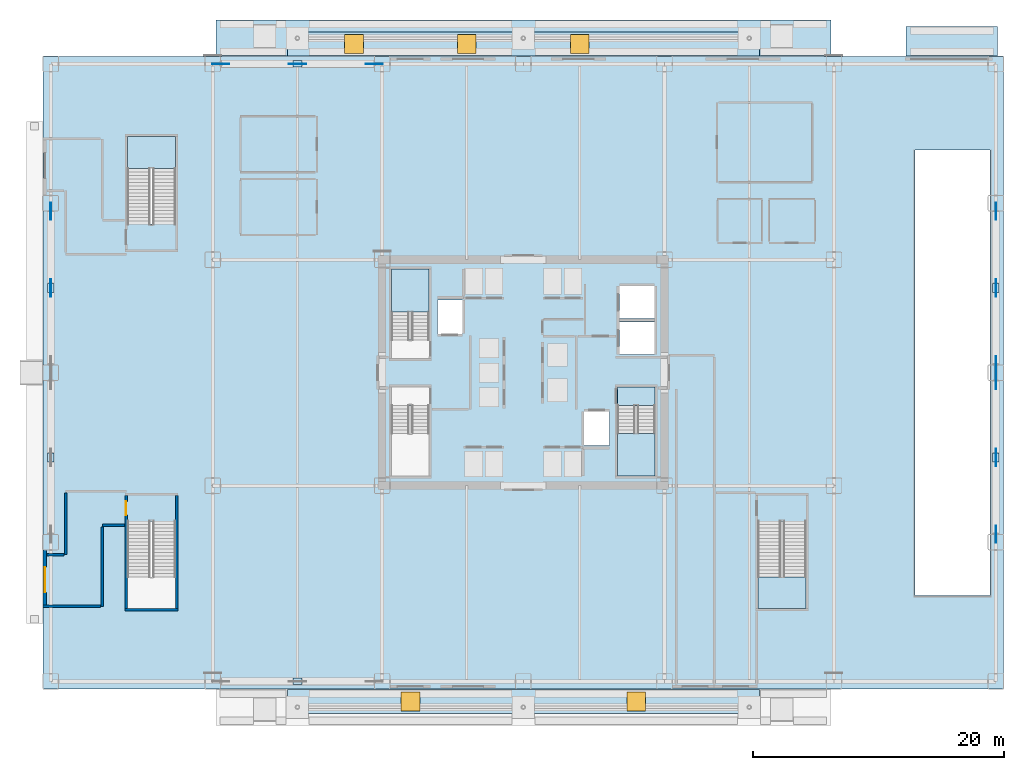
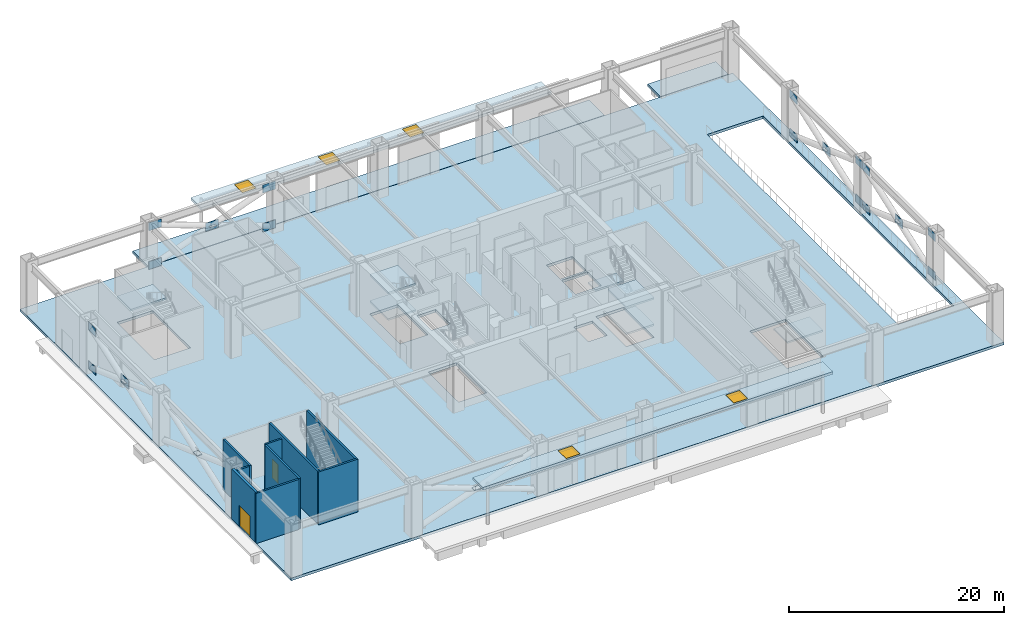
# One storey, part 7 of 17: 24 plates, 12 slabs, 9 walls, 5 windows, 2 doors, 7 openings, 4 elements without a shape of their own.
"""IFC4 building model written with IfcOpenShell, lengths in metres."""

from ifc_helpers import new_model, si_unit, direction, frame, frame_2d, origin, origin_2d, place, context, subcontext, project, spatial, polyline, rectangle, outline, extrude, source, transform, mapped, material, layer, layer_set, type_object, element, fill, aggregate, save


model = new_model("IFC4")

# Units and contexts
model_context = context("Model", 3, precision=1e-05, world=origin(), true_north=direction((0.0, 1.0)))
body_context = subcontext(model_context, "Body", "Model", "MODEL_VIEW")
ifc_project = project(units=[si_unit("LENGTHUNIT", "METRE"), si_unit("AREAUNIT", "SQUARE_METRE"), si_unit("VOLUMEUNIT", "CUBIC_METRE"), si_unit("PLANEANGLEUNIT", "RADIAN"), si_unit("MASSUNIT", "GRAM", prefix="KILO")], contexts=[model_context])

# Site, building, storey
site_placement = place(None, origin())
site = spatial("IfcSite", under=ifc_project, at=site_placement, CompositionType="ELEMENT")
building_placement = place(site_placement, origin())
building = spatial("IfcBuilding", under=site, at=building_placement, Name="Nefas-Gora Pilgrimage Tower", CompositionType="ELEMENT")
storey_placement = place(building_placement, origin())
storey = spatial("IfcBuildingStorey", under=building, at=storey_placement, Name="L00", CompositionType="ELEMENT", Elevation=0.0)

# Slabs
ifc_material_1 = material(Name="Concrete C40/50", Category="concrete")
ifc_layer_1 = layer(ifc_material_1, 0.280029296875)
ifc_layer_set_1 = layer_set([ifc_layer_1], Name="Concrete C40/50")
slab_type_1 = type_object("IfcSlabType", Name="SLB-PAV-280", PredefinedType="BASESLAB", material=ifc_layer_set_1)
slab_1_placement = place(storey_placement, frame((0.0, 0.0, -0.280029296875)))
element("IfcSlab", 1, at=slab_1_placement, inside=storey, type_object=slab_type_1, Name="North Grand Arrival Plaza Paving Slab", PredefinedType="BASESLAB", context=body_context, shape_type="SweptSolid", body=[
    extrude(outline(polyline([(-24.5, 25.219970703125), (24.5, 25.219970703125), (24.5, 28.10009765625), (-24.5, 28.10009765625), (-24.5, 25.219970703125)])), origin(), (0.0, 0.0, 1.0), 0.280029296875),
])
slab_2_placement = place(storey_placement, frame((0.0, 0.0, -0.280029296875)))
element("IfcSlab", 2, at=slab_2_placement, inside=storey, type_object=slab_type_1, Name="North-East Car Park Ramp Driveway Apron Slab", PredefinedType="BASESLAB", context=body_context, shape_type="SweptSolid", body=[
    extrude(outline(polyline([(30.5, 25.219970703125), (37.800048828125, 25.219970703125), (37.800048828125, 27.60009765625), (30.5, 27.60009765625), (30.5, 25.219970703125)])), origin(), (0.0, 0.0, 1.0), 0.280029296875),
])
ifc_material_2 = material(Name="Concrete C45/55", Category="concrete")
ifc_layer_2 = layer(ifc_material_2, 0.300048828125)
ifc_layer_set_2 = layer_set([ifc_layer_2], Name="Concrete C45/55")
slab_type_2 = type_object("IfcSlabType", Name="SLB-POD-300", PredefinedType="FLOOR", material=ifc_layer_set_2)
slab_3_placement = place(storey_placement, frame((0.0, 0.0, -0.300048828125)))
element("IfcSlab", 3, at=slab_3_placement, inside=storey, type_object=slab_type_2, Name="L00 Structural Floor Slab", PredefinedType="FLOOR", context=body_context, shape_type="SweptSolid", body=[
    extrude(outline(polyline([(38.25, -25.199951171875), (38.25, 25.199951171875), (-38.25, 25.199951171875), (-38.25, -25.199951171875), (38.25, -25.199951171875)]), holes=[polyline([(-10.5, 2.639892578125), (-10.5, 8.25), (-7.5, 8.25), (-7.5, 2.639892578125), (-10.5, 2.639892578125)]), polyline([(10.5, -2.639892578125), (10.5, -8.25), (7.5, -8.25), (7.5, -2.639892578125), (10.5, -2.639892578125)]), polyline([(-7.5, -2.639892578125), (-7.5, -8.25), (-10.5, -8.25), (-10.5, -2.639892578125), (-7.5, -2.639892578125)]), polyline([(-31.5400390625, 11.840087890625), (-31.5400390625, 18.800048828125), (-27.699951171875, 18.800048828125), (-27.699951171875, 11.840087890625), (-31.5400390625, 11.840087890625)]), polyline([(-27.699951171875, -11.840087890625), (-27.699951171875, -18.800048828125), (-31.5400390625, -18.800048828125), (-31.5400390625, -11.840087890625), (-27.699951171875, -11.840087890625)]), polyline([(22.5400390625, -11.840087890625), (22.5400390625, -18.800048828125), (18.699951171875, -18.800048828125), (18.699951171875, -11.840087890625), (22.5400390625, -11.840087890625)]), polyline([(-6.85009765625, 5.800048828125), (-4.85009765625, 5.800048828125), (-4.85009765625, 3.10009765625), (-6.85009765625, 3.10009765625), (-6.85009765625, 5.800048828125)]), polyline([(4.85009765625, -3.10009765625), (6.85009765625, -3.10009765625), (6.85009765625, -5.800048828125), (4.85009765625, -5.800048828125), (4.85009765625, -3.10009765625)]), polyline([(7.64990234375, 4.050048828125), (10.449951171875, 4.050048828125), (10.449951171875, 1.449951171875), (7.64990234375, 1.449951171875), (7.64990234375, 4.050048828125)]), polyline([(7.64990234375, 6.89990234375), (10.449951171875, 6.89990234375), (10.449951171875, 4.300048828125), (7.64990234375, 4.300048828125), (7.64990234375, 6.89990234375)]), polyline([(31.199951171875, 17.75), (37.199951171875, 17.75), (37.199951171875, -17.75), (31.199951171875, -17.75), (31.199951171875, 17.75)])]), origin(), (0.0, 0.0, 1.0), 0.300048828125),
])

# Slab, openings, windows
ifc_layer_3 = layer(ifc_material_2, 0.300048828125)
ifc_layer_set_3 = layer_set([ifc_layer_3], Name="Concrete C45/55")
slab_type_3 = type_object("IfcSlabType", Name="SLB-ROOF-300", PredefinedType="ROOF", material=ifc_layer_set_3)
slab_4_placement = place(storey_placement, frame((0.0, 0.0, 4.360107421875)))
slab_4 = element("IfcSlab", 4, at=slab_4_placement, inside=storey, type_object=slab_type_3, Name="L00 Entrance Canopy Roof Slab N", PredefinedType="ROOF", context=body_context, shape_type="SweptSolid", body=[
    extrude(outline(polyline([(-18.800048828125, 25.25), (18.800048828125, 25.25), (18.800048828125, 27.14990234375), (-18.800048828125, 27.14990234375), (-18.800048828125, 25.25)]), holes=[polyline([(-14.25, 25.449951171875), (-14.25, 26.949951171875), (-12.75, 26.949951171875), (-12.75, 25.449951171875), (-14.25, 25.449951171875)]), polyline([(-5.25, 25.449951171875), (-5.25, 26.949951171875), (-3.75, 26.949951171875), (-3.75, 25.449951171875), (-5.25, 25.449951171875)]), polyline([(3.75, 25.449951171875), (3.75, 26.949951171875), (5.25, 26.949951171875), (5.25, 25.449951171875), (3.75, 25.449951171875)])]), origin(), (0.0, 0.0, 1.0), 0.2998046875),
])
opening_1_placement = place(slab_4_placement, frame((-13.5, 26.199951171875, 0.0)))
opening_1 = element("IfcOpeningElement", 5, at=opening_1_placement, cuts=slab_4, Name="Opening RD-01", PredefinedType="OPENING", context=body_context, shape_type="SweptSolid", body=[
    extrude(rectangle(XDim=1.5, YDim=1.5, at=origin_2d()), frame((0.0, 0.0, -0.010009765625)), (0.0, 0.0, 1.0), 0.31982421875),
])
opening_2_placement = place(slab_4_placement, frame((-4.5, 26.199951171875, 0.0)))
opening_2 = element("IfcOpeningElement", 6, at=opening_2_placement, cuts=slab_4, Name="Opening RD-01", PredefinedType="OPENING", context=body_context, shape_type="SweptSolid", body=[
    extrude(rectangle(XDim=1.5, YDim=1.5, at=origin_2d()), frame((0.0, 0.0, -0.010009765625)), (0.0, 0.0, 1.0), 0.31982421875),
])
opening_3_placement = place(slab_4_placement, frame((4.5, 26.199951171875, 0.0)))
opening_3 = element("IfcOpeningElement", 7, at=opening_3_placement, cuts=slab_4, Name="Opening RD-01", PredefinedType="OPENING", context=body_context, shape_type="SweptSolid", body=[
    extrude(rectangle(XDim=1.5, YDim=1.5, at=origin_2d()), frame((0.0, 0.0, -0.010009765625)), (0.0, 0.0, 1.0), 0.31982421875),
])
ifc_material_3 = material(Name="Laminated solar-control glass canopy lightdome", Category="glass")
window_type = type_object("IfcWindowType", Name="WIN-DOME-1500x1500", PartitioningType="SINGLE_PANEL", PredefinedType="LIGHTDOME", material=ifc_material_3)
window_1_placement = place(opening_1_placement, frame((0.0, 0.0, 0.249755859375)))
window_1 = element("IfcWindow", 8, at=window_1_placement, inside=storey, type_object=window_type, Name="Canopy Daylight Dome RD-01.1", OverallHeight=1.5, OverallWidth=1.5, PartitioningType="SINGLE_PANEL", PredefinedType="LIGHTDOME", context=body_context, shape_type="SweptSolid", body=[
    extrude(rectangle(XDim=1.5, YDim=1.5, at=origin_2d()), origin(), (0.0, 0.0, 1.0), 0.050048828125),
])
fill(opening_1, window_1)
window_2_placement = place(opening_2_placement, frame((0.0, 0.0, 0.249755859375)))
window_2 = element("IfcWindow", 9, at=window_2_placement, inside=storey, type_object=window_type, Name="Canopy Daylight Dome RD-01.2", OverallHeight=1.5, OverallWidth=1.5, PartitioningType="SINGLE_PANEL", PredefinedType="LIGHTDOME", context=body_context, shape_type="SweptSolid", body=[
    extrude(rectangle(XDim=1.5, YDim=1.5, at=origin_2d()), origin(), (0.0, 0.0, 1.0), 0.050048828125),
])
fill(opening_2, window_2)
window_3_placement = place(opening_3_placement, frame((0.0, 0.0, 0.249755859375)))
window_3 = element("IfcWindow", 10, at=window_3_placement, inside=storey, type_object=window_type, Name="Canopy Daylight Dome RD-01.3", OverallHeight=1.5, OverallWidth=1.5, PartitioningType="SINGLE_PANEL", PredefinedType="LIGHTDOME", context=body_context, shape_type="SweptSolid", body=[
    extrude(rectangle(XDim=1.5, YDim=1.5, at=origin_2d()), origin(), (0.0, 0.0, 1.0), 0.050048828125),
])
fill(opening_3, window_3)

slab_5_placement = place(storey_placement, frame((0.0, 0.0, 4.360107421875)))
slab_5 = element("IfcSlab", 11, at=slab_5_placement, inside=storey, type_object=slab_type_3, Name="L00 Entrance Canopy Roof Slab S", PredefinedType="ROOF", context=body_context, shape_type="SweptSolid", body=[
    extrude(outline(polyline([(-18.800048828125, -27.14990234375), (18.800048828125, -27.14990234375), (18.800048828125, -25.25), (-18.800048828125, -25.25), (-18.800048828125, -27.14990234375)]), holes=[polyline([(-9.75, -26.949951171875), (-9.75, -25.449951171875), (-8.25, -25.449951171875), (-8.25, -26.949951171875), (-9.75, -26.949951171875)]), polyline([(8.25, -26.949951171875), (8.25, -25.449951171875), (9.75, -25.449951171875), (9.75, -26.949951171875), (8.25, -26.949951171875)])]), origin(), (0.0, 0.0, 1.0), 0.2998046875),
])
opening_4_placement = place(slab_5_placement, frame((-9.0, -26.199951171875, 0.0)))
opening_4 = element("IfcOpeningElement", 12, at=opening_4_placement, cuts=slab_5, Name="Opening RD-01", PredefinedType="OPENING", context=body_context, shape_type="SweptSolid", body=[
    extrude(rectangle(XDim=1.5, YDim=1.5, at=origin_2d()), frame((0.0, 0.0, -0.010009765625)), (0.0, 0.0, 1.0), 0.31982421875),
])
opening_5_placement = place(slab_5_placement, frame((9.0, -26.199951171875, 0.0)))
opening_5 = element("IfcOpeningElement", 13, at=opening_5_placement, cuts=slab_5, Name="Opening RD-01", PredefinedType="OPENING", context=body_context, shape_type="SweptSolid", body=[
    extrude(rectangle(XDim=1.5, YDim=1.5, at=origin_2d()), frame((0.0, 0.0, -0.010009765625)), (0.0, 0.0, 1.0), 0.31982421875),
])
window_4_placement = place(opening_4_placement, frame((0.0, 0.0, 0.249755859375)))
window_4 = element("IfcWindow", 14, at=window_4_placement, inside=storey, type_object=window_type, Name="Canopy Daylight Dome RD-01.4", OverallHeight=1.5, OverallWidth=1.5, PartitioningType="SINGLE_PANEL", PredefinedType="LIGHTDOME", context=body_context, shape_type="SweptSolid", body=[
    extrude(rectangle(XDim=1.5, YDim=1.5, at=origin_2d()), origin(), (0.0, 0.0, 1.0), 0.050048828125),
])
fill(opening_4, window_4)
window_5_placement = place(opening_5_placement, frame((0.0, 0.0, 0.249755859375)))
window_5 = element("IfcWindow", 15, at=window_5_placement, inside=storey, type_object=window_type, Name="Canopy Daylight Dome RD-01.5", OverallHeight=1.5, OverallWidth=1.5, PartitioningType="SINGLE_PANEL", PredefinedType="LIGHTDOME", context=body_context, shape_type="SweptSolid", body=[
    extrude(rectangle(XDim=1.5, YDim=1.5, at=origin_2d()), origin(), (0.0, 0.0, 1.0), 0.050048828125),
])
fill(opening_5, window_5)

# Stair, slabs
stair_type_1 = type_object("IfcStairType", Name="STR-1400-R1667", PredefinedType="HALF_TURN_STAIR", material=ifc_material_2)
stair_1_placement = place(storey_placement, origin())
stair_1 = element("IfcStair", 16, at=stair_1_placement, inside=storey, type_object=stair_type_1, Name="L00 Pressurised Tower Exit Stair ST-01", PredefinedType="HALF_TURN_STAIR")
ifc_layer_4 = layer(ifc_material_1, 0.199951171875)
ifc_layer_set_4 = layer_set([ifc_layer_4], Name="Concrete C40/50")
slab_type_4 = type_object("IfcSlabType", Name="STR-LAND-200", PredefinedType="LANDING", material=ifc_layer_set_4)
slab_6_placement = place(storey_placement, frame((0.0, 0.0, 1.300048828125)))
slab_6 = element("IfcSlab", 17, at=slab_6_placement, type_object=slab_type_4, Name="ST-01 landing 1", PredefinedType="LANDING", context=body_context, shape_type="SweptSolid", body=[
    extrude(outline(polyline([(-7.5, 4.840087890625), (-7.5, 8.25), (-10.5, 8.25), (-10.5, 4.840087890625), (-7.5, 4.840087890625)])), origin(), (0.0, 0.0, 1.0), 0.199951171875),
])
slab_7_placement = place(storey_placement, frame((0.0, 0.0, 4.300048828125)))
slab_7 = element("IfcSlab", 18, at=slab_7_placement, type_object=slab_type_4, Name="ST-01 landing 3", PredefinedType="LANDING", context=body_context, shape_type="SweptSolid", body=[
    extrude(outline(polyline([(-7.5, 4.840087890625), (-7.5, 8.25), (-10.5, 8.25), (-10.5, 4.840087890625), (-7.5, 4.840087890625)])), origin(), (0.0, 0.0, 1.0), 0.199951171875),
])
aggregate(stair_1, [slab_6, slab_7])

stair_2_placement = place(storey_placement, origin())
stair_2 = element("IfcStair", 19, at=stair_2_placement, inside=storey, type_object=stair_type_1, Name="L00 Pressurised Tower Exit Stair ST-02", PredefinedType="HALF_TURN_STAIR")
slab_8_placement = place(storey_placement, frame((0.0, 0.0, 1.300048828125)))
slab_8 = element("IfcSlab", 20, at=slab_8_placement, type_object=slab_type_4, Name="ST-02 landing 1", PredefinedType="LANDING", context=body_context, shape_type="SweptSolid", body=[
    extrude(outline(polyline([(7.5, -4.840087890625), (7.5, -8.25), (10.5, -8.25), (10.5, -4.840087890625), (7.5, -4.840087890625)])), origin(), (0.0, 0.0, 1.0), 0.199951171875),
])
slab_9_placement = place(storey_placement, frame((0.0, 0.0, 2.800048828125)))
slab_9 = element("IfcSlab", 21, at=slab_9_placement, type_object=slab_type_4, Name="ST-02 landing 2", PredefinedType="LANDING", context=body_context, shape_type="SweptSolid", body=[
    extrude(outline(polyline([(7.5, -1.14990234375), (7.5, -2.60009765625), (10.5, -2.60009765625), (10.5, -1.14990234375), (7.5, -1.14990234375)])), origin(), (0.0, 0.0, 1.0), 0.199951171875),
])
slab_10_placement = place(storey_placement, frame((0.0, 0.0, 4.300048828125)))
slab_10 = element("IfcSlab", 22, at=slab_10_placement, type_object=slab_type_4, Name="ST-02 landing 3", PredefinedType="LANDING", context=body_context, shape_type="SweptSolid", body=[
    extrude(outline(polyline([(7.5, -4.840087890625), (7.5, -8.25), (10.5, -8.25), (10.5, -4.840087890625), (7.5, -4.840087890625)])), origin(), (0.0, 0.0, 1.0), 0.199951171875),
])
aggregate(stair_2, [slab_8, slab_9, slab_10])

# Stair, slab
stair_type_2 = type_object("IfcStairType", Name="STR-1820-R1765", PredefinedType="HALF_TURN_STAIR", material=ifc_material_2)
stair_3_placement = place(storey_placement, origin())
stair_3 = element("IfcStair", 23, at=stair_3_placement, inside=storey, type_object=stair_type_2, Name="L00 Podium Exit Stair ST-04", PredefinedType="HALF_TURN_STAIR")
slab_11_placement = place(storey_placement, frame((0.0, 0.0, 2.800048828125)))
slab_11 = element("IfcSlab", 24, at=slab_11_placement, type_object=slab_type_4, Name="ST-04 landing 1", PredefinedType="LANDING", context=body_context, shape_type="SweptSolid", body=[
    extrude(outline(polyline([(-27.699951171875, 16.280029296875), (-27.699951171875, 18.800048828125), (-31.5400390625, 18.800048828125), (-31.5400390625, 16.280029296875), (-27.699951171875, 16.280029296875)])), origin(), (0.0, 0.0, 1.0), 0.199951171875),
])
aggregate(stair_3, [slab_11])

stair_4_placement = place(storey_placement, origin())
stair_4 = element("IfcStair", 25, at=stair_4_placement, inside=storey, type_object=stair_type_2, Name="L00 Podium Exit Stair ST-06", PredefinedType="HALF_TURN_STAIR")
slab_12_placement = place(storey_placement, frame((0.0, 0.0, 2.800048828125)))
slab_12 = element("IfcSlab", 26, at=slab_12_placement, type_object=slab_type_4, Name="ST-06 landing 1", PredefinedType="LANDING", context=body_context, shape_type="SweptSolid", body=[
    extrude(outline(polyline([(18.699951171875, -16.280029296875), (18.699951171875, -18.800048828125), (22.5400390625, -18.800048828125), (22.5400390625, -16.280029296875), (18.699951171875, -16.280029296875)])), origin(), (0.0, 0.0, 1.0), 0.199951171875),
])
aggregate(stair_4, [slab_12])

# Plates
ifc_material_4 = material(Name="Steel S460", Category="steel")
ifc_layer_5 = layer(ifc_material_4, 0.035888671875)
ifc_layer_set_5 = layer_set([ifc_layer_5], Name="Steel S460")
plate_type_1 = type_object("IfcPlateType", Name="PLT-NODE-N01", PredefinedType="USERDEFINED", material=ifc_layer_set_5)
shared_shape_1 = source(origin(), body_context, "Body", "SweptSolid", [
    extrude(rectangle(XDim=1.39990234375, YDim=0.044921875, at=origin_2d()), origin(), (0.0, 0.0, 1.0), 0.949951171875),
])
for number, where, z_axis, x_axis, name in (
    (27, (-18.0, 24.60009765625, 2.2998046875), (0.0, 0.0, 1.0), (1.0, 0.0, 0.0), "Structural Node Gusset Plate N01 (L00)"),
    (28, (-37.64990234375, 6.75, 2.2998046875), (0.0, 0.0, 1.0), (0.0, 1.0, 0.0), "Structural Node Gusset Plate N01 (L00)"),
    (29, (37.64990234375, 6.75, 2.2998046875), (0.0, 0.0, 1.0), (0.0, 1.0, 0.0), "Structural Node Gusset Plate N01 (L00)"),
    (30, (37.64990234375, -6.75, 2.2998046875), (0.0, 0.0, 1.0), (0.0, 1.0, 0.0), "Structural Node Gusset Plate N01 (L00)"),
):
    element("IfcPlate", number, at=place(storey_placement, frame(where, z_axis=z_axis, x_axis=x_axis)), inside=storey, type_object=plate_type_1, Name=name, ObjectType="GUSSET_PLATE", PredefinedType="USERDEFINED", context=body_context, shape_type="MappedRepresentation", body=[
        mapped(shared_shape_1, transform((0.0, 0.0, 0.0), x_axis=(1.0, 0.0, 0.0), y_axis=(0.0, 1.0, 0.0), z_axis=(0.0, 0.0, 1.0), scale=1.0)),
    ])
shared_shape_2 = source(origin(), body_context, "Body", "SweptSolid", [
    extrude(rectangle(XDim=1.35009765625, YDim=0.044921875, at=origin_2d()), origin(), (0.0, 0.0, 1.0), 0.89990234375),
])
for number, where, z_axis, x_axis, name in (
    (31, (-24.112060546875, 24.60009765625, 0.129150390625), (0.0, 0.0, 1.0), (1.0, 0.0, 0.0), "Structural Node Gusset Plate N01 (L00)"),
    (32, (-11.887939453125, 24.60009765625, 0.129150390625), (0.0, 0.0, 1.0), (1.0, 0.0, 0.0), "Structural Node Gusset Plate N01 (L00)"),
    (33, (-24.112060546875, 24.60009765625, 4.520751953125), (0.0, 0.0, 1.0), (1.0, 0.0, 0.0), "Structural Node Gusset Plate N01 (L00)"),
    (34, (-11.887939453125, 24.60009765625, 4.520751953125), (0.0, 0.0, 1.0), (1.0, 0.0, 0.0), "Structural Node Gusset Plate N01 (L00)"),
    (35, (-37.64990234375, 12.862060546875, 0.129150390625), (0.0, 0.0, 1.0), (0.0, 1.0, 0.0), "Structural Node Gusset Plate N01 (L00)"),
    (36, (-37.64990234375, 12.862060546875, 4.520751953125), (0.0, 0.0, 1.0), (0.0, 1.0, 0.0), "Structural Node Gusset Plate N01 (L00)"),
    (37, (37.64990234375, 0.637939453125, 0.129150390625), (0.0, 0.0, 1.0), (0.0, 1.0, 0.0), "Structural Node Gusset Plate N01 (L00)"),
    (38, (37.64990234375, 12.862060546875, 0.129150390625), (0.0, 0.0, 1.0), (0.0, 1.0, 0.0), "Structural Node Gusset Plate N01 (L00)"),
    (39, (37.64990234375, 0.637939453125, 4.520751953125), (0.0, 0.0, 1.0), (0.0, 1.0, 0.0), "Structural Node Gusset Plate N01 (L00)"),
    (40, (37.64990234375, 12.862060546875, 4.520751953125), (0.0, 0.0, 1.0), (0.0, 1.0, 0.0), "Structural Node Gusset Plate N01 (L00)"),
    (41, (37.64990234375, -12.862060546875, 0.129150390625), (0.0, 0.0, 1.0), (0.0, 1.0, 0.0), "Structural Node Gusset Plate N01 (L00)"),
    (42, (37.64990234375, -0.637939453125, 0.129150390625), (0.0, 0.0, 1.0), (0.0, 1.0, 0.0), "Structural Node Gusset Plate N01 (L00)"),
    (43, (37.64990234375, -12.862060546875, 4.520751953125), (0.0, 0.0, 1.0), (0.0, 1.0, 0.0), "Structural Node Gusset Plate N01 (L00)"),
    (44, (37.64990234375, -0.637939453125, 4.520751953125), (0.0, 0.0, 1.0), (0.0, 1.0, 0.0), "Structural Node Gusset Plate N01 (L00)"),
):
    element("IfcPlate", number, at=place(storey_placement, frame(where, z_axis=z_axis, x_axis=x_axis)), inside=storey, type_object=plate_type_1, Name=name, ObjectType="GUSSET_PLATE", PredefinedType="USERDEFINED", context=body_context, shape_type="MappedRepresentation", body=[
        mapped(shared_shape_2, transform((0.0, 0.0, 0.0), x_axis=(1.0, 0.0, 0.0), y_axis=(0.0, 1.0, 0.0), z_axis=(0.0, 0.0, 1.0), scale=1.0)),
    ])
ifc_layer_6 = layer(ifc_material_4, 0.0400390625)
ifc_layer_set_6 = layer_set([ifc_layer_6], Name="Steel S460")
plate_type_2 = type_object("IfcPlateType", Name="PLT-ENDCAP-40", PredefinedType="SHEET", material=ifc_layer_set_6)
shared_shape_3 = source(origin(), body_context, "Body", "SweptSolid", [
    extrude(rectangle(XDim=0.719970703125, YDim=0.52001953125, at=origin_2d()), origin(), (0.0, 0.0, 1.0), 0.0400390625),
])
for number, where, z_axis, x_axis, name in (
    (45, (-18.0, 24.60009765625, 2.7548828125), (0.0, 0.0, 1.0), (1.0, 0.0, 0.0), "Pilotis X-Crossing Stiffener Plate N1"),
    (46, (-37.64990234375, 6.75, 2.7548828125), (0.0, 0.0, 1.0), (0.0, 1.0, 0.0), "Pilotis X-Crossing Stiffener Plate W2"),
    (47, (-18.0, -24.60009765625, 2.7548828125), (0.0, 0.0, 1.0), (1.0, 0.0, 0.0), "Pilotis X-Crossing Stiffener Plate S1"),
    (48, (37.64990234375, 6.75, 2.7548828125), (0.0, 0.0, 1.0), (0.0, 1.0, 0.0), "Pilotis X-Crossing Stiffener Plate E2"),
    (49, (-37.64990234375, -6.75, 2.7548828125), (0.0, 0.0, 1.0), (0.0, 1.0, 0.0), "Pilotis X-Crossing Stiffener Plate W1"),
    (50, (37.64990234375, -6.75, 2.7548828125), (0.0, 0.0, 1.0), (0.0, 1.0, 0.0), "Pilotis X-Crossing Stiffener Plate E1"),
):
    element("IfcPlate", number, at=place(storey_placement, frame(where, z_axis=z_axis, x_axis=x_axis)), inside=storey, type_object=plate_type_2, Name=name, PredefinedType="SHEET", context=body_context, shape_type="MappedRepresentation", body=[
        mapped(shared_shape_3, transform((0.0, 0.0, 0.0), x_axis=(1.0, 0.0, 0.0), y_axis=(0.0, 1.0, 0.0), z_axis=(0.0, 0.0, 1.0), scale=1.0)),
    ])

# Wall, opening, door
ifc_material_5 = material(Name="Precast concrete C40/50", Category="concrete")
ifc_layer_7 = layer(ifc_material_5, 0.260009765625)
ifc_layer_set_7 = layer_set([ifc_layer_7], Name="Precast concrete C40/50")
wall_type_1 = type_object("IfcWallType", Name="EW-PORTAL-260", PredefinedType="SOLIDWALL", material=ifc_layer_set_7)
shared_shape_4 = source(origin(), body_context, "Body", "SweptSolid", [
    extrude(rectangle(XDim=4.41015625, YDim=0.260009765625, at=frame_2d((2.205078125, 0.0))), origin(), (0.0, 0.0, 1.0), 5.699951171875),
])
wall_1_placement = place(storey_placement, frame((-38.1201171875, -18.5400390625, 0.0), z_axis=(0.0, 0.0, 1.0), x_axis=(0.0, 1.0, 0.0)))
wall_1 = element("IfcWall", 51, at=wall_1_placement, inside=storey, type_object=wall_type_1, Name="L00 Exterior Portal Wall (EX-05)", PredefinedType="SOLIDWALL", context=body_context, shape_type="MappedRepresentation", body=[
    mapped(shared_shape_4, transform((0.0, 0.0, 0.0), x_axis=(1.0, 0.0, 0.0), y_axis=(0.0, 1.0, 0.0), z_axis=(0.0, 0.0, 1.0), scale=1.0)),
])
opening_6_placement = place(wall_1_placement, frame((1.0400390625, 0.0, 0.0)))
opening_6 = element("IfcOpeningElement", 52, at=opening_6_placement, cuts=wall_1, Name="Opening EX-D1", PredefinedType="OPENING", context=body_context, shape_type="SweptSolid", body=[
    extrude(rectangle(XDim=2.0, YDim=2.39990234375, at=frame_2d((1.0, 1.199951171875))), frame((0.0, 0.139892578125, 0.0), z_axis=(0.0, -1.0, 0.0), x_axis=(1.0, 0.0, 0.0)), (0.0, 0.0, 1.0), 0.280029296875),
])
ifc_material_6 = material(Name="Painted galvanised steel fire exit door", Category="steel")
door_type_1 = type_object("IfcDoorType", Name="DR-EXT-EXIT-2000", OperationType="DOUBLE_DOOR_SINGLE_SWING", PredefinedType="DOOR", material=ifc_material_6)
shared_shape_5 = source(origin(), body_context, "Body", "SweptSolid", [
    extrude(rectangle(XDim=2.0, YDim=2.39990234375, at=frame_2d((1.0, 1.199951171875))), frame((0.0, 0.02490234375, 0.0), z_axis=(0.0, -1.0, 0.0), x_axis=(1.0, 0.0, 0.0)), (0.0, 0.0, 1.0), 0.050048828125),
])
door_1_placement = place(opening_6_placement, origin())
door_1 = element("IfcDoor", 53, at=door_1_placement, inside=storey, type_object=door_type_1, Name="L00 Exterior Door EX-05 (West Exit Walkway (ST-05 Protected Exit Passage))", OperationType="DOUBLE_DOOR_SINGLE_SWING", OverallHeight=2.39990234375, OverallWidth=2.0, PredefinedType="DOOR", context=body_context, shape_type="MappedRepresentation", body=[
    mapped(shared_shape_5, transform((0.0, 0.0, 0.0), x_axis=(1.0, 0.0, 0.0), y_axis=(0.0, 1.0, 0.0), z_axis=(0.0, 0.0, 1.0), scale=1.0)),
])
fill(opening_6, door_1)

# Wall
ifc_layer_8 = layer(ifc_material_2, 0.199951171875)
ifc_layer_set_8 = layer_set([ifc_layer_8], Name="Concrete C45/55")
wall_type_2 = type_object("IfcWallType", Name="IW-STAIR-200", PredefinedType="SOLIDWALL", material=ifc_layer_set_8)
shared_shape_6 = source(origin(), body_context, "Body", "SweptSolid", [
    extrude(rectangle(XDim=4.239990234375, YDim=0.199951171875, at=frame_2d((2.1201171875, 0.0))), origin(), (0.0, 0.0, 1.0), 6.0),
])
wall_2_placement = place(storey_placement, frame((-31.739990234375, -18.89990234375, 0.0), z_axis=(0.0, 0.0, 1.0), x_axis=(1.0, 0.0, 0.0)))
element("IfcWall", 54, at=wall_2_placement, inside=storey, type_object=wall_type_2, Name="L00 Stairwell Shear Wall ST-05-far", PredefinedType="SOLIDWALL", context=body_context, shape_type="MappedRepresentation", body=[
    mapped(shared_shape_6, transform((0.0, 0.0, 0.0), x_axis=(1.0, 0.0, 0.0), y_axis=(0.0, 1.0, 0.0), z_axis=(0.0, 0.0, 1.0), scale=1.0)),
])

# Wall, opening, door
shared_shape_7 = source(origin(), body_context, "Body", "SweptSolid", [
    extrude(rectangle(XDim=9.0, YDim=0.199951171875, at=frame_2d((4.5, 0.0))), origin(), (0.0, 0.0, 1.0), 6.0),
])
wall_3_placement = place(storey_placement, frame((-31.639892578125, -9.800048828125, 0.0), z_axis=(0.0, 0.0, 1.0), x_axis=(0.0, -1.0, 0.0)))
wall_3 = element("IfcWall", 55, at=wall_3_placement, inside=storey, type_object=wall_type_2, Name="L00 Stairwell Shear Wall ST-05-left", PredefinedType="SOLIDWALL", context=body_context, shape_type="MappedRepresentation", body=[
    mapped(shared_shape_7, transform((0.0, 0.0, 0.0), x_axis=(1.0, 0.0, 0.0), y_axis=(0.0, 1.0, 0.0), z_axis=(0.0, 0.0, 1.0), scale=1.0)),
])
opening_7_placement = place(wall_3_placement, frame((0.449951171875, 0.0, 0.0)))
opening_7 = element("IfcOpeningElement", 56, at=opening_7_placement, cuts=wall_3, Name="Opening ID-ST1", PredefinedType="OPENING", context=body_context, shape_type="SweptSolid", body=[
    extrude(rectangle(XDim=1.10009765625, YDim=2.14990234375, at=frame_2d((0.550048828125, 1.074951171875))), frame((0.0, 0.10986328125, 0.0), z_axis=(0.0, -1.0, 0.0), x_axis=(1.0, 0.0, 0.0)), (0.0, 0.0, 1.0), 0.219970703125),
])
ifc_material_7 = material(Name="Painted galvanised steel fire stair door", Category="steel")
door_type_2 = type_object("IfcDoorType", Name="DR-INT-STAIR-1100", OperationType="NOTDEFINED", PredefinedType="DOOR", material=ifc_material_7)
shared_shape_8 = source(origin(), body_context, "Body", "SweptSolid", [
    extrude(rectangle(XDim=1.10009765625, YDim=2.14990234375, at=frame_2d((0.550048828125, 1.074951171875))), frame((0.0, 0.02490234375, 0.0), z_axis=(0.0, -1.0, 0.0), x_axis=(1.0, 0.0, 0.0)), (0.0, 0.0, 1.0), 0.050048828125),
])
door_2_placement = place(opening_7_placement, frame((1.10009765625, 0.0, 0.0), z_axis=(0.0, 0.0, 1.0), x_axis=(-1.0, 0.0, 0.0)))
door_2 = element("IfcDoor", 57, at=door_2_placement, inside=storey, type_object=door_type_2, Name="L00 Protected Exit Stair Door ST-05", OperationType="SINGLE_SWING_RIGHT", OverallHeight=2.14990234375, OverallWidth=1.10009765625, PredefinedType="DOOR", context=body_context, shape_type="MappedRepresentation", body=[
    mapped(shared_shape_8, transform((0.0, 0.0, 0.0), x_axis=(1.0, 0.0, 0.0), y_axis=(0.0, 1.0, 0.0), z_axis=(0.0, 0.0, 1.0), scale=1.0)),
])
fill(opening_7, door_2)

# Walls
wall_4_placement = place(storey_placement, frame((-27.60009765625, -9.800048828125, 0.0), z_axis=(0.0, 0.0, 1.0), x_axis=(0.0, -1.0, 0.0)))
element("IfcWall", 58, at=wall_4_placement, inside=storey, type_object=wall_type_2, Name="L00 Stairwell Shear Wall ST-05-right", PredefinedType="SOLIDWALL", context=body_context, shape_type="MappedRepresentation", body=[
    mapped(shared_shape_7, transform((0.0, 0.0, 0.0), x_axis=(1.0, 0.0, 0.0), y_axis=(0.0, 1.0, 0.0), z_axis=(0.0, 0.0, 1.0), scale=1.0)),
])
ifc_material_8 = material(Name="Gypsum fire-rated shaftwall")
ifc_layer_9 = layer(ifc_material_8, 0.199951171875)
ifc_layer_set_9 = layer_set([ifc_layer_9], Name="Gypsum fire-rated shaftwall")
wall_type_3 = type_object("IfcWallType", Name="IW-FFLOB-200", PredefinedType="PARTITIONING", material=ifc_layer_set_9)
shared_shape_9 = source(origin(), body_context, "Body", "SweptSolid", [
    extrude(rectangle(XDim=1.760009765625, YDim=0.199951171875, at=frame_2d((0.8798828125, 0.0))), origin(), (0.0, 0.0, 1.0), 5.68505859375),
])
wall_5_placement = place(storey_placement, frame((-33.5400390625, -12.159912109375, 0.0), z_axis=(0.0, 0.0, 1.0), x_axis=(1.0, 0.0, 0.0)))
element("IfcWall", 59, at=wall_5_placement, inside=storey, type_object=wall_type_3, Name="L00 Protected Exit Passage EXP5 Inner Step Wall 29", PredefinedType="PARTITIONING", context=body_context, shape_type="MappedRepresentation", body=[
    mapped(shared_shape_9, transform((0.0, 0.0, 0.0), x_axis=(1.0, 0.0, 0.0), y_axis=(0.0, 1.0, 0.0), z_axis=(0.0, 0.0, 1.0), scale=1.0)),
])
shared_shape_10 = source(origin(), body_context, "Body", "SweptSolid", [
    extrude(rectangle(XDim=6.320068359375, YDim=0.199951171875, at=frame_2d((3.16015625, 0.0))), origin(), (0.0, 0.0, 1.0), 5.68505859375),
])
wall_6_placement = place(storey_placement, frame((-33.5400390625, -18.6201171875, 0.0), z_axis=(0.0, 0.0, 1.0), x_axis=(0.0, 1.0, 0.0)))
element("IfcWall", 60, at=wall_6_placement, inside=storey, type_object=wall_type_3, Name="L00 Protected Exit Passage EXP5 East Wall Wall 30", PredefinedType="PARTITIONING", context=body_context, shape_type="MappedRepresentation", body=[
    mapped(shared_shape_10, transform((0.0, 0.0, 0.0), x_axis=(1.0, 0.0, 0.0), y_axis=(0.0, 1.0, 0.0), z_axis=(0.0, 0.0, 1.0), scale=1.0)),
])
shared_shape_11 = source(origin(), body_context, "Body", "SweptSolid", [
    extrude(rectangle(XDim=4.590087890625, YDim=0.199951171875, at=frame_2d((2.294921875, 0.0))), origin(), (0.0, 0.0, 1.0), 5.68505859375),
])
wall_7_placement = place(storey_placement, frame((-38.27001953125, -18.6201171875, 0.0), z_axis=(0.0, 0.0, 1.0), x_axis=(1.0, 0.0, 0.0)))
element("IfcWall", 61, at=wall_7_placement, inside=storey, type_object=wall_type_3, Name="L00 Protected Exit Passage EXP5 South Wall Wall 31", PredefinedType="PARTITIONING", context=body_context, shape_type="MappedRepresentation", body=[
    mapped(shared_shape_11, transform((0.0, 0.0, 0.0), x_axis=(1.0, 0.0, 0.0), y_axis=(0.0, 1.0, 0.0), z_axis=(0.0, 0.0, 1.0), scale=1.0)),
])
shared_shape_12 = source(origin(), body_context, "Body", "SweptSolid", [
    extrude(rectangle(XDim=4.919921875, YDim=0.199951171875, at=frame_2d((2.4599609375, 0.0))), origin(), (0.0, 0.0, 1.0), 5.68505859375),
])
wall_8_placement = place(storey_placement, frame((-36.4599609375, -14.5, 0.0), z_axis=(0.0, 0.0, 1.0), x_axis=(0.0, 1.0, 0.0)))
element("IfcWall", 62, at=wall_8_placement, inside=storey, type_object=wall_type_3, Name="L00 Protected Exit Passage EXP5 Outer Step Wall 32", PredefinedType="PARTITIONING", context=body_context, shape_type="MappedRepresentation", body=[
    mapped(shared_shape_12, transform((0.0, 0.0, 0.0), x_axis=(1.0, 0.0, 0.0), y_axis=(0.0, 1.0, 0.0), z_axis=(0.0, 0.0, 1.0), scale=1.0)),
])
shared_shape_13 = source(origin(), body_context, "Body", "SweptSolid", [
    extrude(rectangle(XDim=1.349853515625, YDim=0.199951171875, at=frame_2d((0.6748046875, 0.0))), origin(), (0.0, 0.0, 1.0), 5.68505859375),
])
wall_9_placement = place(storey_placement, frame((-37.949951171875, -14.5, 0.0), z_axis=(0.0, 0.0, 1.0), x_axis=(1.0, 0.0, 0.0)))
element("IfcWall", 63, at=wall_9_placement, inside=storey, type_object=wall_type_3, Name="L00 Protected Exit Passage EXP5 West Throat Wall 33", PredefinedType="PARTITIONING", context=body_context, shape_type="MappedRepresentation", body=[
    mapped(shared_shape_13, transform((0.0, 0.0, 0.0), x_axis=(1.0, 0.0, 0.0), y_axis=(0.0, 1.0, 0.0), z_axis=(0.0, 0.0, 1.0), scale=1.0)),
])

save(model, "model.ifc")
